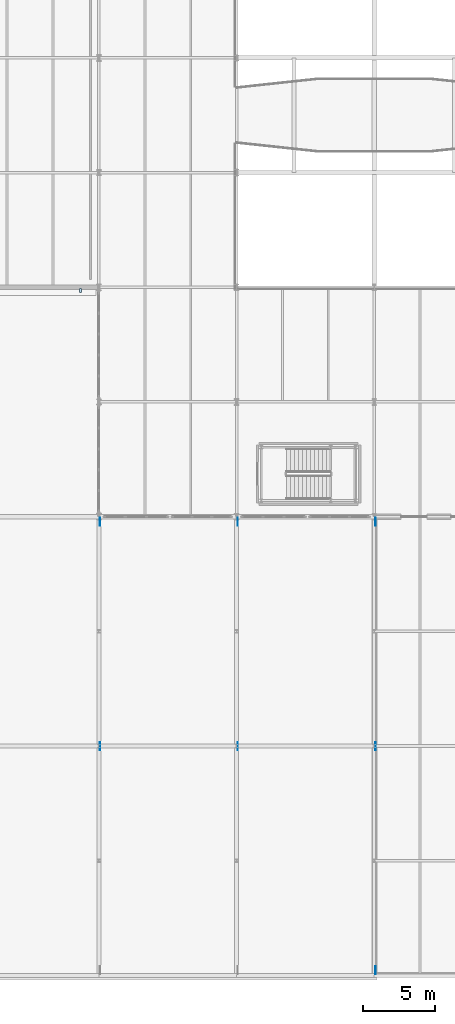
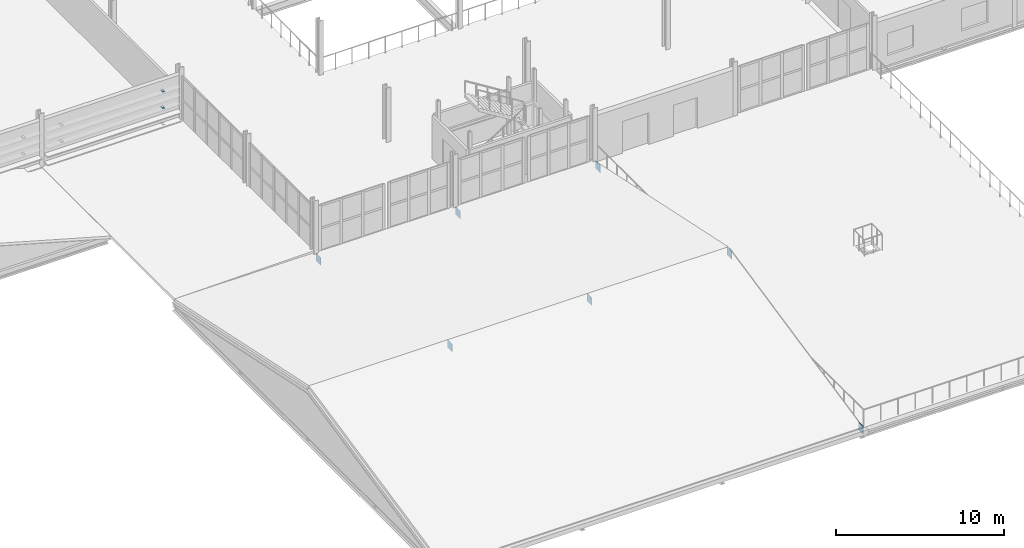
# One storey, part 67 of 85: 10 plates.
"""IFC4 building model written with IfcOpenShell, lengths in metres."""

from ifc_helpers import new_model, si_unit, direction, frame, origin, origin_2d, place, context, subcontext, project, spatial, rectangle, extrude, material, layer, layer_set, type_object, element, save


model = new_model("IFC4")

# Units and contexts
model_context = context("Model", 3, precision=1e-05, world=origin(), true_north=direction((0.0, 1.0)))
body_context = subcontext(model_context, "Body", "Model", "MODEL_VIEW")
ifc_project = project(units=[si_unit("LENGTHUNIT", "METRE"), si_unit("AREAUNIT", "SQUARE_METRE"), si_unit("VOLUMEUNIT", "CUBIC_METRE"), si_unit("PLANEANGLEUNIT", "RADIAN"), si_unit("MASSUNIT", "GRAM", prefix="KILO")], contexts=[model_context])

# Site, building, storey
site_placement = place(None, origin())
site = spatial("IfcSite", under=ifc_project, at=site_placement, CompositionType="ELEMENT")
building_placement = place(site_placement, origin())
building = spatial("IfcBuilding", under=site, at=building_placement, Name="Alderhovde Museum", CompositionType="ELEMENT")
storey_placement = place(building_placement, frame((0.0, 0.0, 8.699951171875)))
storey = spatial("IfcBuildingStorey", under=building, at=storey_placement, Name="L02", CompositionType="ELEMENT", Elevation=8.699951171875)

# Plates
ifc_material_1 = material(Name="Steel S355J2", Category="steel")
ifc_layer_1 = layer(ifc_material_1, 0.02001953125)
ifc_layer_set_1 = layer_set([ifc_layer_1], Name="Steel S355J2")
plate_type_1 = type_object("IfcPlateType", Name="LV-BRACKET", PredefinedType="USERDEFINED", material=ifc_layer_set_1)
for number, where, z_axis, x_axis, name in (
    (1, (75.49609375, 47.77001953125, 0.2900390625), (0.0, 0.0, 1.0), (1.0, 0.0, 0.0), "L02 Louvre Support Bracket 112-2"),
    (2, (75.49609375, 47.77001953125, 1.489990234375), (0.0, 0.0, 1.0), (1.0, 0.0, 0.0), "L02 Louvre Support Bracket 114-2"),
    (3, (75.49609375, 47.77001953125, 2.68994140625), (0.0, 0.0, 1.0), (1.0, 0.0, 0.0), "L02 Louvre Support Bracket 116-2"),
):
    element("IfcPlate", number, at=place(storey_placement, frame(where, z_axis=z_axis, x_axis=x_axis)), inside=storey, type_object=plate_type_1, Name=name, ObjectType="BRACKET PLATE", PredefinedType="USERDEFINED", context=body_context, shape_type="SweptSolid", body=[
        extrude(rectangle(XDim=0.139892578125, YDim=0.260009765625, at=origin_2d()), origin(), (0.0, 0.0, 1.0), 0.02001953125),
    ])
ifc_material_2 = material(Name="Steel S355J2", Category="steel")
ifc_layer_2 = layer(ifc_material_2, 0.02197265625)
ifc_layer_set_2 = layer_set([ifc_layer_2], Name="Steel S355J2")
plate_type_2 = type_object("IfcPlateType", Name="PLT-GUSSET-22", PredefinedType="USERDEFINED", material=ifc_layer_set_2)
for number, where, z_axis, x_axis, name in (
    (4, (76.8798828125, 16.0, 2.669921875), (0.0, 0.0, 1.0), (1.0, 0.0, 0.0), "Auditorium Truss Gusset X=76.8-2"),
    (5, (76.8798828125, 31.64990234375, -0.530029296875), (0.0, 0.0, 1.0), (1.0, 0.0, 0.0), "Auditorium Truss Gusset X=76.8-3"),
    (6, (86.47998046875, 16.0, 2.669921875), (0.0, 0.0, 1.0), (1.0, 0.0, 0.0), "Auditorium Truss Gusset X=86.4-2"),
    (7, (86.47998046875, 31.64990234375, -0.530029296875), (0.0, 0.0, 1.0), (1.0, 0.0, 0.0), "Auditorium Truss Gusset X=86.4-3"),
    (8, (96.080078125, 0.35009765625, -0.530029296875), (0.0, 0.0, 1.0), (1.0, 0.0, 0.0), "Auditorium Truss Gusset X=96.0-1"),
    (9, (96.080078125, 16.0, 2.669921875), (0.0, 0.0, 1.0), (1.0, 0.0, 0.0), "Auditorium Truss Gusset X=96.0-2"),
    (10, (96.080078125, 31.64990234375, -0.530029296875), (0.0, 0.0, 1.0), (1.0, 0.0, 0.0), "Auditorium Truss Gusset X=96.0-3"),
):
    element("IfcPlate", number, at=place(storey_placement, frame(where, z_axis=z_axis, x_axis=x_axis)), inside=storey, type_object=plate_type_2, Name=name, ObjectType="GUSSET PLATE", PredefinedType="USERDEFINED", context=body_context, shape_type="SweptSolid", body=[
        extrude(rectangle(XDim=0.02197265625, YDim=0.56005859375, at=origin_2d()), origin(), (0.0, 0.0, 1.0), 0.56005859375),
    ])

save(model, "model.ifc")
